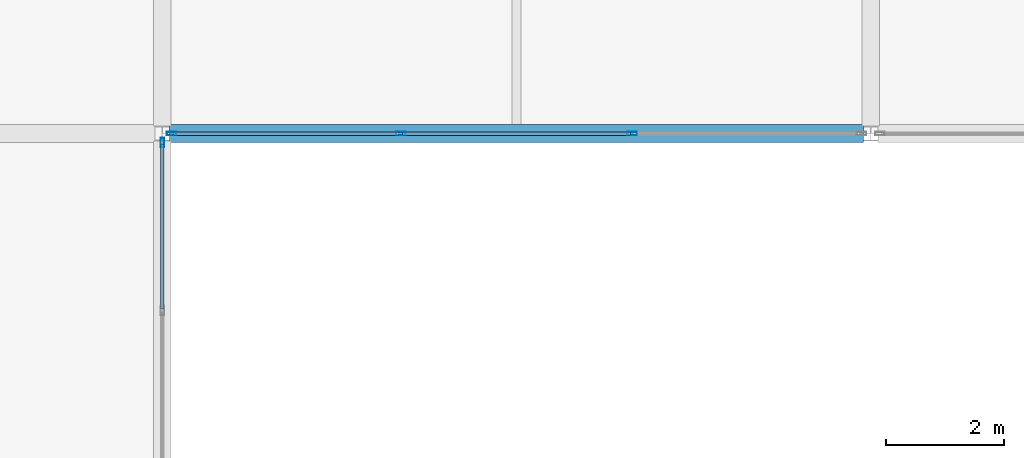
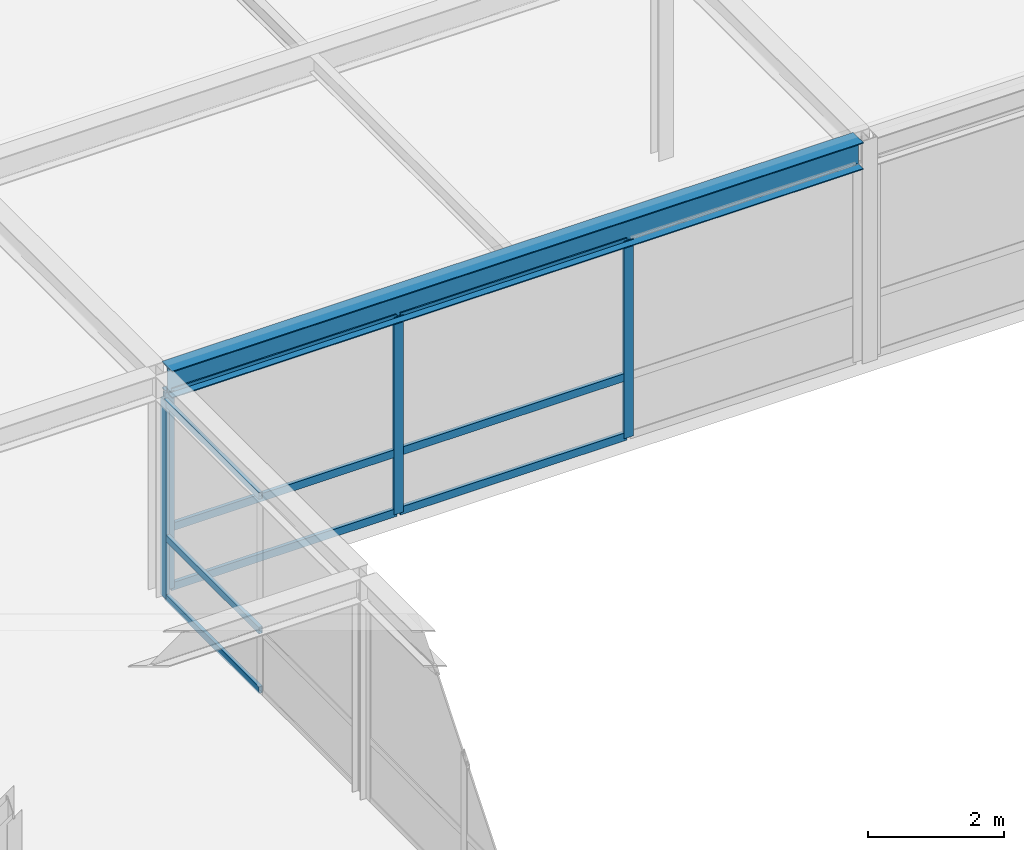
# One storey, part 79 of 111: 13 members, 1 beam, 2 elements without a shape of their own.
"""IFC4 building model written with IfcOpenShell, lengths in metres."""

from ifc_helpers import new_model, si_unit, direction, frame, origin, origin_2d, place, context, subcontext, project, spatial, hollow_rectangle, i_section, extrude, material, layer, layer_set, material_profile, profile_set, type_object, element, aggregate, save


model = new_model("IFC4")

# Units and contexts
model_context = context("Model", 3, precision=1e-05, world=origin(), true_north=direction((0.0, 1.0)))
body_context = subcontext(model_context, "Body", "Model", "MODEL_VIEW")
ifc_project = project(units=[si_unit("LENGTHUNIT", "METRE"), si_unit("AREAUNIT", "SQUARE_METRE"), si_unit("VOLUMEUNIT", "CUBIC_METRE"), si_unit("PLANEANGLEUNIT", "RADIAN"), si_unit("MASSUNIT", "GRAM", prefix="KILO")], contexts=[model_context])

# Site, building, storey
site_placement = place(None, origin())
site = spatial("IfcSite", under=ifc_project, at=site_placement, CompositionType="ELEMENT")
building_placement = place(site_placement, origin())
building = spatial("IfcBuilding", under=site, at=building_placement, Name="Zlatovratsky Civic Hall", CompositionType="ELEMENT")
storey_placement = place(building_placement, frame((0.0, 0.0, 16.5)))
storey = spatial("IfcBuildingStorey", under=building, at=storey_placement, Name="L04", CompositionType="ELEMENT", Elevation=16.5)

# Beam
ifc_material_1 = material(Name="Steel S355", Category="steel")
ifc_material_profile_1 = material_profile(ifc_material_1, i_section(OverallWidth=0.300048828125, OverallDepth=0.487060546875, WebThickness=0.014404296875, FlangeThickness=0.017578125, FilletRadius=0.02392578125, at=origin_2d()), Name="50Sh2")
ifc_profile_set_1 = profile_set([ifc_material_profile_1], Name="Steel S355")
beam_type = type_object("IfcBeamType", Name="Beam_ArchiveGirder_50Sh2", PredefinedType="BEAM", material=ifc_profile_set_1)
beam_placement = place(storey_placement, frame((120.125, 66.0, 3.756591796875), z_axis=(1.0, 0.0, 0.0), x_axis=(0.0, 1.0, 0.0)))
element("IfcBeam", 1, at=beam_placement, inside=storey, type_object=beam_type, Name="BM-3341", PredefinedType="BEAM", context=body_context, shape_type="SweptSolid", body=[
    extrude(i_section(OverallWidth=0.300048828125, OverallDepth=0.487060546875, WebThickness=0.014404296875, FlangeThickness=0.017578125, FilletRadius=0.02392578125, at=origin_2d()), origin(), (0.0, 0.0, 1.0), 11.75),
])

# Curtain wall, members
ifc_material_2 = material(Name="Anodised bronze aluminium", Category="aluminium")
ifc_layer_1 = layer(ifc_material_2, 0.159912109375)
ifc_layer_set_1 = layer_set([ifc_layer_1], Name="Anodised bronze aluminium")
curtain_wall_type_1 = type_object("IfcCurtainWallType", Name="CurtainWall_Bronze_11750x3550_17", PredefinedType="NOTDEFINED", material=ifc_layer_set_1)
curtain_wall_1_placement = place(storey_placement, origin())
curtain_wall_1 = element("IfcCurtainWall", 2, at=curtain_wall_1_placement, inside=storey, type_object=curtain_wall_type_1, Name="CW-114", PredefinedType="NOTDEFINED")
ifc_material_profile_2 = material_profile(ifc_material_2, hollow_rectangle(XDim=0.06005859375, YDim=0.159912109375, WallThickness=0.00390625, at=origin_2d()), Name="ALU 60x160x4")
ifc_profile_set_2 = profile_set([ifc_material_profile_2], Name="Anodised bronze aluminium")
member_type_1 = type_object("IfcMemberType", Name="CW_Mullion_60x160", PredefinedType="MULLION", material=ifc_profile_set_2)
member_1_placement = place(storey_placement, frame((120.155029296875, 66.0, 0.0), z_axis=(0.0, 0.0, 1.0), x_axis=(0.0, 1.0, 0.0)))
member_1 = element("IfcMember", 3, at=member_1_placement, type_object=member_type_1, Name="CW-17 mullion 1", PredefinedType="MULLION", context=body_context, shape_type="SweptSolid", body=[
    extrude(hollow_rectangle(XDim=0.06005859375, YDim=0.159912109375, WallThickness=0.00390625, at=origin_2d()), origin(), (0.0, 0.0, 1.0), 3.550048828125),
])
member_2_placement = place(storey_placement, frame((124.041748046875, 66.0, 0.0), z_axis=(0.0, 0.0, 1.0), x_axis=(0.0, 1.0, 0.0)))
member_2 = element("IfcMember", 4, at=member_2_placement, type_object=member_type_1, Name="CW-17 mullion 2", PredefinedType="MULLION", context=body_context, shape_type="SweptSolid", body=[
    extrude(hollow_rectangle(XDim=0.06005859375, YDim=0.159912109375, WallThickness=0.00390625, at=origin_2d()), origin(), (0.0, 0.0, 1.0), 3.550048828125),
])
member_3_placement = place(storey_placement, frame((127.958251953125, 66.0, 0.0), z_axis=(0.0, 0.0, 1.0), x_axis=(0.0, 1.0, 0.0)))
member_3 = element("IfcMember", 5, at=member_3_placement, type_object=member_type_1, Name="CW-17 mullion 3", PredefinedType="MULLION", context=body_context, shape_type="SweptSolid", body=[
    extrude(hollow_rectangle(XDim=0.06005859375, YDim=0.159912109375, WallThickness=0.00390625, at=origin_2d()), origin(), (0.0, 0.0, 1.0), 3.550048828125),
])

ifc_layer_2 = layer(ifc_material_2, 0.159912109375)
ifc_layer_set_2 = layer_set([ifc_layer_2], Name="Anodised bronze aluminium")
curtain_wall_type_2 = type_object("IfcCurtainWallType", Name="CurtainWall_Bronze_5750x3550_18", PredefinedType="NOTDEFINED", material=ifc_layer_set_2)
curtain_wall_2_placement = place(storey_placement, origin())
curtain_wall_2 = element("IfcCurtainWall", 6, at=curtain_wall_2_placement, inside=storey, type_object=curtain_wall_type_2, Name="CW-122", PredefinedType="NOTDEFINED")
member_4_placement = place(storey_placement, frame((120.0, 65.844970703125, 0.0), z_axis=(0.0, 0.0, 1.0), x_axis=(-1.0, 0.0, 0.0)))
member_4 = element("IfcMember", 7, at=member_4_placement, type_object=member_type_1, Name="CW-18 mullion 3", PredefinedType="MULLION", context=body_context, shape_type="SweptSolid", body=[
    extrude(hollow_rectangle(XDim=0.06005859375, YDim=0.159912109375, WallThickness=0.00390625, at=origin_2d()), origin(), (0.0, 0.0, 1.0), 3.550048828125),
])
ifc_material_profile_3 = material_profile(ifc_material_2, hollow_rectangle(XDim=0.06005859375, YDim=0.1201171875, WallThickness=0.00390625, at=origin_2d()), Name="ALU 60x120x4")
ifc_profile_set_3 = profile_set([ifc_material_profile_3], Name="Anodised bronze aluminium")
member_type_2 = type_object("IfcMemberType", Name="CW_Transom_60x120", PredefinedType="USERDEFINED", material=ifc_profile_set_3)
member_5_placement = place(storey_placement, frame((120.0, 63.030029296875, 0.030029296875), z_axis=(0.0, 1.0, 0.0), x_axis=(-1.0, 0.0, 0.0)))
member_5 = element("IfcMember", 8, at=member_5_placement, type_object=member_type_2, Name="CW-18 transom 2.1", ObjectType="TRANSOM", PredefinedType="USERDEFINED", context=body_context, shape_type="SweptSolid", body=[
    extrude(hollow_rectangle(XDim=0.06005859375, YDim=0.1201171875, WallThickness=0.00390625, at=origin_2d()), origin(), (0.0, 0.0, 1.0), 2.784912109375),
])
member_6_placement = place(storey_placement, frame((120.0, 63.030029296875, 1.10009765625), z_axis=(0.0, 1.0, 0.0), x_axis=(-1.0, 0.0, 0.0)))
member_6 = element("IfcMember", 9, at=member_6_placement, type_object=member_type_2, Name="CW-18 transom 2.2", ObjectType="TRANSOM", PredefinedType="USERDEFINED", context=body_context, shape_type="SweptSolid", body=[
    extrude(hollow_rectangle(XDim=0.06005859375, YDim=0.1201171875, WallThickness=0.00390625, at=origin_2d()), origin(), (0.0, 0.0, 1.0), 2.784912109375),
])
member_7_placement = place(storey_placement, frame((120.0, 63.030029296875, 3.52001953125), z_axis=(0.0, 1.0, 0.0), x_axis=(-1.0, 0.0, 0.0)))
member_7 = element("IfcMember", 10, at=member_7_placement, type_object=member_type_2, Name="CW-18 transom 2.3", ObjectType="TRANSOM", PredefinedType="USERDEFINED", context=body_context, shape_type="SweptSolid", body=[
    extrude(hollow_rectangle(XDim=0.06005859375, YDim=0.1201171875, WallThickness=0.00390625, at=origin_2d()), origin(), (0.0, 0.0, 1.0), 2.784912109375),
])
aggregate(curtain_wall_2, [member_4, member_5, member_6, member_7])

# Member
ifc_material_profile_4 = material_profile(ifc_material_2, hollow_rectangle(XDim=0.06005859375, YDim=0.139892578125, WallThickness=0.00390625, at=origin_2d()), Name="ALU 60x140x4")
ifc_profile_set_4 = profile_set([ifc_material_profile_4], Name="Anodised bronze aluminium")
member_type_3 = type_object("IfcMemberType", Name="CW_Transom_60x140", PredefinedType="USERDEFINED", material=ifc_profile_set_4)
member_8_placement = place(storey_placement, frame((120.18505859375, 66.0, 0.030029296875), z_axis=(1.0, 0.0, 0.0), x_axis=(0.0, 1.0, 0.0)))
member_8 = element("IfcMember", 11, at=member_8_placement, type_object=member_type_3, Name="CW-17 transom 1.1", ObjectType="TRANSOM", PredefinedType="USERDEFINED", context=body_context, shape_type="SweptSolid", body=[
    extrude(hollow_rectangle(XDim=0.06005859375, YDim=0.139892578125, WallThickness=0.00390625, at=origin_2d()), origin(), (0.0, 0.0, 1.0), 3.82666015625),
])

member_9_placement = place(storey_placement, frame((120.18505859375, 66.0, 1.10009765625), z_axis=(1.0, 0.0, 0.0), x_axis=(0.0, 1.0, 0.0)))
member_9 = element("IfcMember", 12, at=member_9_placement, type_object=member_type_3, Name="CW-17 transom 1.2", ObjectType="TRANSOM", PredefinedType="USERDEFINED", context=body_context, shape_type="SweptSolid", body=[
    extrude(hollow_rectangle(XDim=0.06005859375, YDim=0.139892578125, WallThickness=0.00390625, at=origin_2d()), origin(), (0.0, 0.0, 1.0), 3.82666015625),
])

member_10_placement = place(storey_placement, frame((120.18505859375, 66.0, 3.52001953125), z_axis=(1.0, 0.0, 0.0), x_axis=(0.0, 1.0, 0.0)))
member_10 = element("IfcMember", 13, at=member_10_placement, type_object=member_type_3, Name="CW-17 transom 1.3", ObjectType="TRANSOM", PredefinedType="USERDEFINED", context=body_context, shape_type="SweptSolid", body=[
    extrude(hollow_rectangle(XDim=0.06005859375, YDim=0.139892578125, WallThickness=0.00390625, at=origin_2d()), origin(), (0.0, 0.0, 1.0), 3.82666015625),
])

member_11_placement = place(storey_placement, frame((124.07177734375, 66.0, 0.030029296875), z_axis=(1.0, 0.0, 0.0), x_axis=(0.0, 1.0, 0.0)))
member_11 = element("IfcMember", 14, at=member_11_placement, type_object=member_type_3, Name="CW-17 transom 2.1", ObjectType="TRANSOM", PredefinedType="USERDEFINED", context=body_context, shape_type="SweptSolid", body=[
    extrude(hollow_rectangle(XDim=0.06005859375, YDim=0.139892578125, WallThickness=0.00390625, at=origin_2d()), origin(), (0.0, 0.0, 1.0), 3.8564453125),
])

member_12_placement = place(storey_placement, frame((124.07177734375, 66.0, 1.10009765625), z_axis=(1.0, 0.0, 0.0), x_axis=(0.0, 1.0, 0.0)))
member_12 = element("IfcMember", 15, at=member_12_placement, type_object=member_type_3, Name="CW-17 transom 2.2", ObjectType="TRANSOM", PredefinedType="USERDEFINED", context=body_context, shape_type="SweptSolid", body=[
    extrude(hollow_rectangle(XDim=0.06005859375, YDim=0.139892578125, WallThickness=0.00390625, at=origin_2d()), origin(), (0.0, 0.0, 1.0), 3.8564453125),
])

member_13_placement = place(storey_placement, frame((124.07177734375, 66.0, 3.52001953125), z_axis=(1.0, 0.0, 0.0), x_axis=(0.0, 1.0, 0.0)))
member_13 = element("IfcMember", 16, at=member_13_placement, type_object=member_type_3, Name="CW-17 transom 2.3", ObjectType="TRANSOM", PredefinedType="USERDEFINED", context=body_context, shape_type="SweptSolid", body=[
    extrude(hollow_rectangle(XDim=0.06005859375, YDim=0.139892578125, WallThickness=0.00390625, at=origin_2d()), origin(), (0.0, 0.0, 1.0), 3.8564453125),
])

aggregate(curtain_wall_1, [member_1, member_2, member_3, member_8, member_9, member_10, member_11, member_12, member_13])

save(model, "model.ifc")
